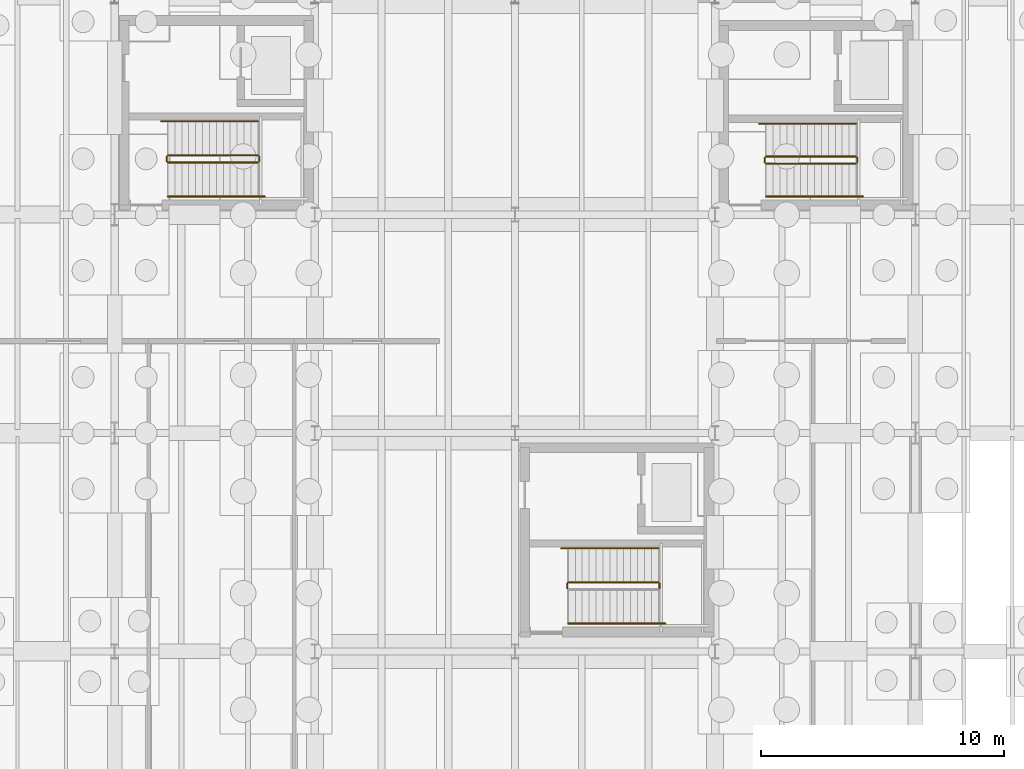
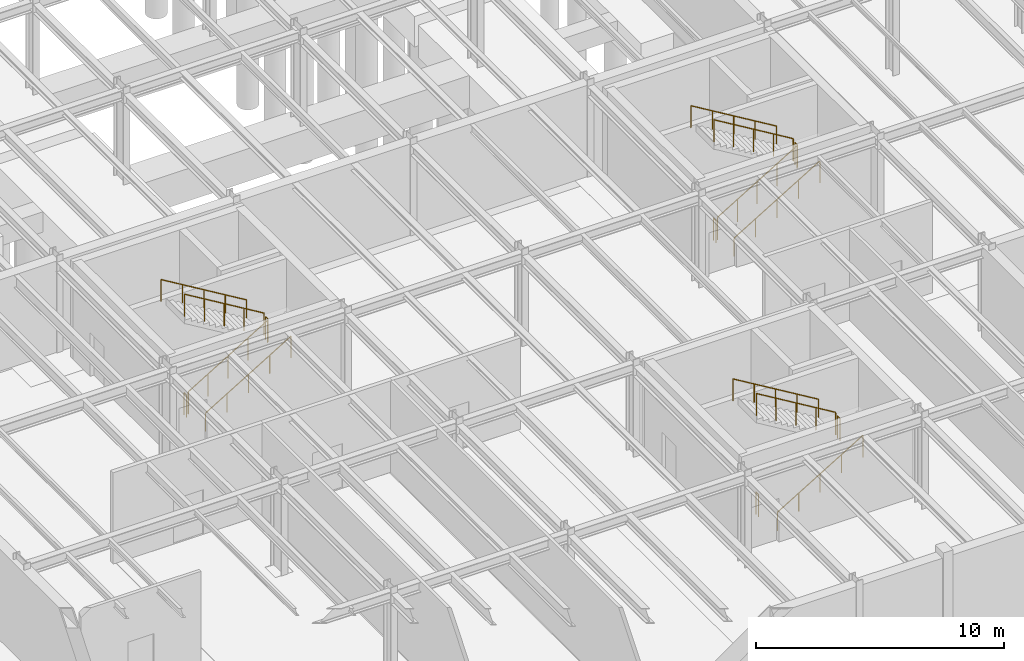
# One storey, part 53 of 59: 17 railings.
"""IFC4 building model written with IfcOpenShell, lengths in metres."""

from ifc_helpers import new_model, si_unit, direction, frame, origin, origin_2d, place, context, subcontext, project, spatial, circle, extrude, material, layer, layer_set, type_object, element, save


model = new_model("IFC4")

# Units and contexts
model_context = context("Model", 3, precision=1e-05, world=origin(), true_north=direction((0.0, 1.0)))
body_context = subcontext(model_context, "Body", "Model", "MODEL_VIEW")
ifc_project = project(units=[si_unit("LENGTHUNIT", "METRE"), si_unit("AREAUNIT", "SQUARE_METRE"), si_unit("VOLUMEUNIT", "CUBIC_METRE"), si_unit("PLANEANGLEUNIT", "RADIAN"), si_unit("MASSUNIT", "GRAM", prefix="KILO")], contexts=[model_context])

# Site, building, storey
site_placement = place(None, origin())
site = spatial("IfcSite", under=ifc_project, at=site_placement, CompositionType="ELEMENT")
building_placement = place(site_placement, origin())
building = spatial("IfcBuilding", under=site, at=building_placement, Name="Montealbar Specialist Clinic", CompositionType="ELEMENT")
storey_placement = place(building_placement, frame((0.0, 0.0, -4.800048828125)))
storey = spatial("IfcBuildingStorey", under=building, at=storey_placement, Name="B01", CompositionType="ELEMENT", Elevation=-4.800048828125)

# Railings
ifc_material = material(Name="Steel S355", Category="steel")
ifc_layer_1 = layer(ifc_material, 0.050048828125, Name="Steel S355", Category="steel")
ifc_layer_set_1 = layer_set([ifc_layer_1], Name="Steel S355")
railing_type_1 = type_object("IfcRailingType", Name="RAIL-STAIR-BAL-1100", PredefinedType="BALUSTRADE", material=ifc_layer_set_1)
railing_1_placement = place(storey_placement, frame((68.199951171875, 29.14990234375, 0.17138671875)))
element("IfcRailing", 1, at=railing_1_placement, inside=storey, type_object=railing_type_1, Name="B01 ST-03 stair guard 1", PredefinedType="BALUSTRADE", context=body_context, shape_type="SweptSolid", body=[
    extrude(circle(Radius=0.02392578125, at=origin_2d()), frame((0.0, 0.0, 1.076171875), z_axis=(0.856909459561, 0.0, 0.515466951525), x_axis=(0.0, 1.0, 0.0)), (0.0, 0.0, 1.0), 4.32373046875),
    extrude(circle(Radius=0.02099609375, at=origin_2d()), frame((0.0, 0.0, -0.02490234375)), (0.0, 0.0, 1.0), 1.076904296875),
    extrude(circle(Radius=0.02099609375, at=origin_2d()), frame((0.92626953125, 0.0, 0.5322265625)), (0.0, 0.0, 1.0), 1.076904296875),
    extrude(circle(Radius=0.02099609375, at=origin_2d()), frame((1.8525390625, 0.0, 1.08935546875)), (0.0, 0.0, 1.0), 1.076904296875),
    extrude(circle(Radius=0.02099609375, at=origin_2d()), frame((2.77880859375, 0.0, 1.646484375)), (0.0, 0.0, 1.0), 1.076904296875),
    extrude(circle(Radius=0.02099609375, at=origin_2d()), frame((3.705078125, 0.0, 2.203857421875)), (0.0, 0.0, 1.0), 1.076904296875),
])
railing_2_placement = place(storey_placement, frame((71.955078125, 29.199951171875, 2.400146484375)))
element("IfcRailing", 2, at=railing_2_placement, inside=storey, type_object=railing_type_1, Name="B01 ST-03 stair guard 2", PredefinedType="BALUSTRADE", context=body_context, shape_type="SweptSolid", body=[
    extrude(circle(Radius=0.02392578125, at=origin_2d()), frame((0.0, 0.0, 1.076171875), z_axis=(0.0, 1.0, 0.0), x_axis=(-1.0, 0.0, 0.0)), (0.0, 0.0, 1.0), 0.199951171875),
    extrude(circle(Radius=0.02099609375, at=origin_2d()), frame((0.0, 0.0, -0.02490234375)), (0.0, 0.0, 1.0), 1.076904296875),
    extrude(circle(Radius=0.02099609375, at=origin_2d()), frame((0.0, 0.199951171875, -0.02490234375)), (0.0, 0.0, 1.0), 1.076904296875),
])
railing_3_placement = place(storey_placement, frame((71.905029296875, 29.449951171875, 2.571533203125)))
element("IfcRailing", 3, at=railing_3_placement, inside=storey, type_object=railing_type_1, Name="B01 ST-03 stair guard 3", PredefinedType="BALUSTRADE", context=body_context, shape_type="SweptSolid", body=[
    extrude(circle(Radius=0.02392578125, at=origin_2d()), frame((0.0, 0.0, 1.076171875), z_axis=(-0.856934400257, 0.0, 0.515425487977), x_axis=(0.0, -1.0, 0.0)), (0.0, 0.0, 1.0), 4.32373046875),
    extrude(circle(Radius=0.02099609375, at=origin_2d()), frame((0.0, 0.0, -0.02490234375)), (0.0, 0.0, 1.0), 1.076904296875),
    extrude(circle(Radius=0.02099609375, at=origin_2d()), frame((-0.92626953125, 0.0, 0.5322265625)), (0.0, 0.0, 1.0), 1.076904296875),
    extrude(circle(Radius=0.02099609375, at=origin_2d()), frame((-1.8525390625, 0.0, 1.08935546875)), (0.0, 0.0, 1.0), 1.076904296875),
    extrude(circle(Radius=0.02099609375, at=origin_2d()), frame((-2.77880859375, 0.0, 1.646484375)), (0.0, 0.0, 1.0), 1.076904296875),
    extrude(circle(Radius=0.02099609375, at=origin_2d()), frame((-3.705078125, 0.0, 2.20361328125)), (0.0, 0.0, 1.0), 1.076904296875),
])
for number, where, name in (
    (4, (68.14990234375, 29.199951171875, 0.0), "B01 ST-03 stair guard 4"),
    (5, (88.455078125, 11.60009765625, 2.400146484375), "B01 ST-04 stair guard 2"),
):
    element("IfcRailing", number, at=place(storey_placement, frame(where)), inside=storey, type_object=railing_type_1, Name=name, PredefinedType="BALUSTRADE", context=body_context, shape_type="SweptSolid", body=[
        extrude(circle(Radius=0.02392578125, at=origin_2d()), frame((0.0, 0.0, 1.076171875), z_axis=(0.0, 1.0, 0.0), x_axis=(-1.0, 0.0, 0.0)), (0.0, 0.0, 1.0), 0.199951171875),
        extrude(circle(Radius=0.02099609375, at=origin_2d()), frame((0.0, 0.0, -0.02490234375)), (0.0, 0.0, 1.0), 1.076904296875),
        extrude(circle(Radius=0.02099609375, at=origin_2d()), frame((0.0, 0.199951171875, -0.02490234375)), (0.0, 0.0, 1.0), 1.076904296875),
    ])
railing_4_placement = place(storey_placement, frame((88.405029296875, 11.85009765625, 2.571533203125)))
element("IfcRailing", 6, at=railing_4_placement, inside=storey, type_object=railing_type_1, Name="B01 ST-04 stair guard 3", PredefinedType="BALUSTRADE", context=body_context, shape_type="SweptSolid", body=[
    extrude(circle(Radius=0.02392578125, at=origin_2d()), frame((0.0, 0.0, 1.076171875), z_axis=(-0.856934400257, 0.0, 0.515425487977), x_axis=(0.0, -1.0, 0.0)), (0.0, 0.0, 1.0), 4.32373046875),
    extrude(circle(Radius=0.02099609375, at=origin_2d()), frame((0.0, 0.0, -0.02490234375)), (0.0, 0.0, 1.0), 1.076904296875),
    extrude(circle(Radius=0.02099609375, at=origin_2d()), frame((-0.92626953125, 0.0, 0.5322265625)), (0.0, 0.0, 1.0), 1.076904296875),
    extrude(circle(Radius=0.02099609375, at=origin_2d()), frame((-1.8525390625, 0.0, 1.08935546875)), (0.0, 0.0, 1.0), 1.076904296875),
    extrude(circle(Radius=0.02099609375, at=origin_2d()), frame((-2.77880859375, 0.0, 1.646484375)), (0.0, 0.0, 1.0), 1.076904296875),
    extrude(circle(Radius=0.02099609375, at=origin_2d()), frame((-3.705078125, 0.0, 2.20361328125)), (0.0, 0.0, 1.0), 1.076904296875),
])
railing_5_placement = place(storey_placement, frame((84.64990234375, 11.60009765625, 0.0)))
element("IfcRailing", 7, at=railing_5_placement, inside=storey, type_object=railing_type_1, Name="B01 ST-04 stair guard 4", PredefinedType="BALUSTRADE", context=body_context, shape_type="SweptSolid", body=[
    extrude(circle(Radius=0.02392578125, at=origin_2d()), frame((0.0, 0.0, 1.076171875), z_axis=(0.0, 1.0, 0.0), x_axis=(-1.0, 0.0, 0.0)), (0.0, 0.0, 1.0), 0.199951171875),
    extrude(circle(Radius=0.02099609375, at=origin_2d()), frame((0.0, 0.0, -0.02490234375)), (0.0, 0.0, 1.0), 1.076904296875),
    extrude(circle(Radius=0.02099609375, at=origin_2d()), frame((0.0, 0.199951171875, -0.02490234375)), (0.0, 0.0, 1.0), 1.076904296875),
])
railing_6_placement = place(storey_placement, frame((92.85009765625, 29.10009765625, 0.17138671875)))
element("IfcRailing", 8, at=railing_6_placement, inside=storey, type_object=railing_type_1, Name="B01 ST-05 stair guard 1", PredefinedType="BALUSTRADE", context=body_context, shape_type="SweptSolid", body=[
    extrude(circle(Radius=0.02392578125, at=origin_2d()), frame((0.0, 0.0, 1.076171875), z_axis=(0.856894455432, 0.0, 0.515491893485), x_axis=(0.0, 1.0, 0.0)), (0.0, 0.0, 1.0), 4.323486328125),
    extrude(circle(Radius=0.02099609375, at=origin_2d()), frame((0.0, 0.0, -0.02490234375)), (0.0, 0.0, 1.0), 1.076904296875),
    extrude(circle(Radius=0.02099609375, at=origin_2d()), frame((0.92626953125, 0.0, 0.5322265625)), (0.0, 0.0, 1.0), 1.076904296875),
    extrude(circle(Radius=0.02099609375, at=origin_2d()), frame((1.8525390625, 0.0, 1.08935546875)), (0.0, 0.0, 1.0), 1.076904296875),
    extrude(circle(Radius=0.02099609375, at=origin_2d()), frame((2.778564453125, 0.0, 1.646484375)), (0.0, 0.0, 1.0), 1.076904296875),
    extrude(circle(Radius=0.02099609375, at=origin_2d()), frame((3.704833984375, 0.0, 2.203857421875)), (0.0, 0.0, 1.0), 1.076904296875),
])
railing_7_placement = place(storey_placement, frame((96.60498046875, 29.14990234375, 2.400146484375)))
element("IfcRailing", 9, at=railing_7_placement, inside=storey, type_object=railing_type_1, Name="B01 ST-05 stair guard 2", PredefinedType="BALUSTRADE", context=body_context, shape_type="SweptSolid", body=[
    extrude(circle(Radius=0.02392578125, at=origin_2d()), frame((0.0, 0.0, 1.076171875), z_axis=(0.0, 1.0, 0.0), x_axis=(-1.0, 0.0, 0.0)), (0.0, 0.0, 1.0), 0.2001953125),
    extrude(circle(Radius=0.02099609375, at=origin_2d()), frame((0.0, 0.0, -0.02490234375)), (0.0, 0.0, 1.0), 1.076904296875),
    extrude(circle(Radius=0.02099609375, at=origin_2d()), frame((0.0, 0.2001953125, -0.02490234375)), (0.0, 0.0, 1.0), 1.076904296875),
])
railing_8_placement = place(storey_placement, frame((96.554931640625, 29.39990234375, 2.571533203125)))
element("IfcRailing", 10, at=railing_8_placement, inside=storey, type_object=railing_type_1, Name="B01 ST-05 stair guard 3", PredefinedType="BALUSTRADE", context=body_context, shape_type="SweptSolid", body=[
    extrude(circle(Radius=0.02392578125, at=origin_2d()), frame((0.0, 0.0, 1.076171875), z_axis=(-0.856919398105, 0.0, 0.515450429384), x_axis=(0.0, -1.0, 0.0)), (0.0, 0.0, 1.0), 4.323486328125),
    extrude(circle(Radius=0.02099609375, at=origin_2d()), frame((0.0, 0.0, -0.02490234375)), (0.0, 0.0, 1.0), 1.076904296875),
    extrude(circle(Radius=0.02099609375, at=origin_2d()), frame((-0.92626953125, 0.0, 0.5322265625)), (0.0, 0.0, 1.0), 1.076904296875),
    extrude(circle(Radius=0.02099609375, at=origin_2d()), frame((-1.8525390625, 0.0, 1.08935546875)), (0.0, 0.0, 1.0), 1.076904296875),
    extrude(circle(Radius=0.02099609375, at=origin_2d()), frame((-2.778564453125, 0.0, 1.646484375)), (0.0, 0.0, 1.0), 1.076904296875),
    extrude(circle(Radius=0.02099609375, at=origin_2d()), frame((-3.704833984375, 0.0, 2.20361328125)), (0.0, 0.0, 1.0), 1.076904296875),
])
railing_9_placement = place(storey_placement, frame((92.800048828125, 29.14990234375, 0.0)))
element("IfcRailing", 11, at=railing_9_placement, inside=storey, type_object=railing_type_1, Name="B01 ST-05 stair guard 4", PredefinedType="BALUSTRADE", context=body_context, shape_type="SweptSolid", body=[
    extrude(circle(Radius=0.02392578125, at=origin_2d()), frame((0.0, 0.0, 1.076171875), z_axis=(0.0, 1.0, 0.0), x_axis=(-1.0, 0.0, 0.0)), (0.0, 0.0, 1.0), 0.2001953125),
    extrude(circle(Radius=0.02099609375, at=origin_2d()), frame((0.0, 0.0, -0.02490234375)), (0.0, 0.0, 1.0), 1.076904296875),
    extrude(circle(Radius=0.02099609375, at=origin_2d()), frame((0.0, 0.2001953125, -0.02490234375)), (0.0, 0.0, 1.0), 1.076904296875),
])
ifc_layer_2 = layer(ifc_material, 0.044921875, Name="Steel S355", Category="steel")
ifc_layer_set_2 = layer_set([ifc_layer_2], Name="Steel S355")
railing_type_2 = type_object("IfcRailingType", Name="RAIL-STAIR-HR-900", PredefinedType="HANDRAIL", material=ifc_layer_set_2)
railing_10_placement = place(storey_placement, frame((68.199951171875, 27.75, 0.17138671875)))
element("IfcRailing", 12, at=railing_10_placement, inside=storey, type_object=railing_type_2, Name="B01 ST-03 stair handrail 1", PredefinedType="HANDRAIL", context=body_context, shape_type="SweptSolid", body=[
    extrude(circle(Radius=0.02392578125, at=origin_2d()), frame((0.0, 0.0, 0.8759765625), z_axis=(0.856909445827, 0.0, 0.515466974357), x_axis=(0.0, 1.0, 0.0)), (0.0, 0.0, 1.0), 4.65625),
    extrude(circle(Radius=0.02099609375, at=origin_2d()), frame((0.0, 0.0, -0.02490234375)), (0.0, 0.0, 1.0), 0.876708984375),
    extrude(circle(Radius=0.02099609375, at=origin_2d()), frame((0.99755859375, 0.0, 0.574951171875)), (0.0, 0.0, 1.0), 0.876708984375),
    extrude(circle(Radius=0.02099609375, at=origin_2d()), frame((1.9951171875, 0.0, 1.175048828125)), (0.0, 0.0, 1.0), 0.876708984375),
    extrude(circle(Radius=0.02099609375, at=origin_2d()), frame((2.992431640625, 0.0, 1.775146484375)), (0.0, 0.0, 1.0), 0.876708984375),
    extrude(circle(Radius=0.02099609375, at=origin_2d()), frame((3.989990234375, 0.0, 2.203857421875)), (0.0, 0.0, 1.0), 1.048095703125),
])
railing_11_placement = place(storey_placement, frame((71.905029296875, 30.85009765625, 2.571533203125)))
element("IfcRailing", 13, at=railing_11_placement, inside=storey, type_object=railing_type_2, Name="B01 ST-03 stair handrail 2", PredefinedType="HANDRAIL", context=body_context, shape_type="SweptSolid", body=[
    extrude(circle(Radius=0.02392578125, at=origin_2d()), frame((0.0, 0.0, 0.8759765625), z_axis=(-0.856932605607, 0.0, 0.515428471708), x_axis=(0.0, -1.0, 0.0)), (0.0, 0.0, 1.0), 4.65625),
    extrude(circle(Radius=0.02099609375, at=origin_2d()), frame((0.0, 0.0, -0.02490234375)), (0.0, 0.0, 1.0), 0.876708984375),
    extrude(circle(Radius=0.02099609375, at=origin_2d()), frame((-0.99755859375, 0.0, 0.574951171875)), (0.0, 0.0, 1.0), 0.876708984375),
    extrude(circle(Radius=0.02099609375, at=origin_2d()), frame((-1.9951171875, 0.0, 1.175048828125)), (0.0, 0.0, 1.0), 0.876708984375),
    extrude(circle(Radius=0.02099609375, at=origin_2d()), frame((-2.992431640625, 0.0, 1.77490234375)), (0.0, 0.0, 1.0), 0.876708984375),
    extrude(circle(Radius=0.02099609375, at=origin_2d()), frame((-3.989990234375, 0.0, 2.20361328125)), (0.0, 0.0, 1.0), 1.048095703125),
])
railing_12_placement = place(storey_placement, frame((84.699951171875, 10.14990234375, 0.17138671875)))
element("IfcRailing", 14, at=railing_12_placement, inside=storey, type_object=railing_type_2, Name="B01 ST-04 stair handrail 1", PredefinedType="HANDRAIL", context=body_context, shape_type="SweptSolid", body=[
    extrude(circle(Radius=0.02392578125, at=origin_2d()), frame((0.0, 0.0, 0.8759765625), z_axis=(0.856909445827, 0.0, 0.515466974357), x_axis=(0.0, 1.0, 0.0)), (0.0, 0.0, 1.0), 4.65625),
    extrude(circle(Radius=0.02099609375, at=origin_2d()), frame((0.0, 0.0, -0.02490234375)), (0.0, 0.0, 1.0), 0.876708984375),
    extrude(circle(Radius=0.02099609375, at=origin_2d()), frame((0.99755859375, 0.0, 0.574951171875)), (0.0, 0.0, 1.0), 0.876708984375),
    extrude(circle(Radius=0.02099609375, at=origin_2d()), frame((1.9951171875, 0.0, 1.175048828125)), (0.0, 0.0, 1.0), 0.876708984375),
    extrude(circle(Radius=0.02099609375, at=origin_2d()), frame((2.992431640625, 0.0, 1.775146484375)), (0.0, 0.0, 1.0), 0.876708984375),
    extrude(circle(Radius=0.02099609375, at=origin_2d()), frame((3.989990234375, 0.0, 2.203857421875)), (0.0, 0.0, 1.0), 1.048095703125),
])
railing_13_placement = place(storey_placement, frame((88.405029296875, 13.25, 2.571533203125)))
element("IfcRailing", 15, at=railing_13_placement, inside=storey, type_object=railing_type_2, Name="B01 ST-04 stair handrail 2", PredefinedType="HANDRAIL", context=body_context, shape_type="SweptSolid", body=[
    extrude(circle(Radius=0.02392578125, at=origin_2d()), frame((0.0, 0.0, 0.8759765625), z_axis=(-0.856932605607, 0.0, 0.515428471708), x_axis=(0.0, -1.0, 0.0)), (0.0, 0.0, 1.0), 4.65625),
    extrude(circle(Radius=0.02099609375, at=origin_2d()), frame((0.0, 0.0, -0.02490234375)), (0.0, 0.0, 1.0), 0.876708984375),
    extrude(circle(Radius=0.02099609375, at=origin_2d()), frame((-0.99755859375, 0.0, 0.574951171875)), (0.0, 0.0, 1.0), 0.876708984375),
    extrude(circle(Radius=0.02099609375, at=origin_2d()), frame((-1.9951171875, 0.0, 1.175048828125)), (0.0, 0.0, 1.0), 0.876708984375),
    extrude(circle(Radius=0.02099609375, at=origin_2d()), frame((-2.992431640625, 0.0, 1.77490234375)), (0.0, 0.0, 1.0), 0.876708984375),
    extrude(circle(Radius=0.02099609375, at=origin_2d()), frame((-3.989990234375, 0.0, 2.20361328125)), (0.0, 0.0, 1.0), 1.048095703125),
])
railing_14_placement = place(storey_placement, frame((92.85009765625, 27.75, 0.17138671875)))
element("IfcRailing", 16, at=railing_14_placement, inside=storey, type_object=railing_type_2, Name="B01 ST-05 stair handrail 1", PredefinedType="HANDRAIL", context=body_context, shape_type="SweptSolid", body=[
    extrude(circle(Radius=0.02392578125, at=origin_2d()), frame((0.0, 0.0, 0.8759765625), z_axis=(0.856909445827, 0.0, 0.515466974357), x_axis=(0.0, 1.0, 0.0)), (0.0, 0.0, 1.0), 4.65625),
    extrude(circle(Radius=0.02099609375, at=origin_2d()), frame((0.0, 0.0, -0.02490234375)), (0.0, 0.0, 1.0), 0.876708984375),
    extrude(circle(Radius=0.02099609375, at=origin_2d()), frame((0.99755859375, 0.0, 0.574951171875)), (0.0, 0.0, 1.0), 0.876708984375),
    extrude(circle(Radius=0.02099609375, at=origin_2d()), frame((1.9951171875, 0.0, 1.175048828125)), (0.0, 0.0, 1.0), 0.876708984375),
    extrude(circle(Radius=0.02099609375, at=origin_2d()), frame((2.992431640625, 0.0, 1.775146484375)), (0.0, 0.0, 1.0), 0.876708984375),
    extrude(circle(Radius=0.02099609375, at=origin_2d()), frame((3.989990234375, 0.0, 2.203857421875)), (0.0, 0.0, 1.0), 1.048095703125),
])
railing_15_placement = place(storey_placement, frame((96.554931640625, 30.75, 2.571533203125)))
element("IfcRailing", 17, at=railing_15_placement, inside=storey, type_object=railing_type_2, Name="B01 ST-05 stair handrail 2", PredefinedType="HANDRAIL", context=body_context, shape_type="SweptSolid", body=[
    extrude(circle(Radius=0.02392578125, at=origin_2d()), frame((0.0, 0.0, 0.8759765625), z_axis=(-0.856932605607, 0.0, 0.515428471708), x_axis=(0.0, -1.0, 0.0)), (0.0, 0.0, 1.0), 4.65625),
    extrude(circle(Radius=0.02099609375, at=origin_2d()), frame((0.0, 0.0, -0.02490234375)), (0.0, 0.0, 1.0), 0.876708984375),
    extrude(circle(Radius=0.02099609375, at=origin_2d()), frame((-0.99755859375, 0.0, 0.574951171875)), (0.0, 0.0, 1.0), 0.876708984375),
    extrude(circle(Radius=0.02099609375, at=origin_2d()), frame((-1.9951171875, 0.0, 1.175048828125)), (0.0, 0.0, 1.0), 0.876708984375),
    extrude(circle(Radius=0.02099609375, at=origin_2d()), frame((-2.992431640625, 0.0, 1.77490234375)), (0.0, 0.0, 1.0), 0.876708984375),
    extrude(circle(Radius=0.02099609375, at=origin_2d()), frame((-3.989990234375, 0.0, 2.20361328125)), (0.0, 0.0, 1.0), 1.048095703125),
])

save(model, "model.ifc")
